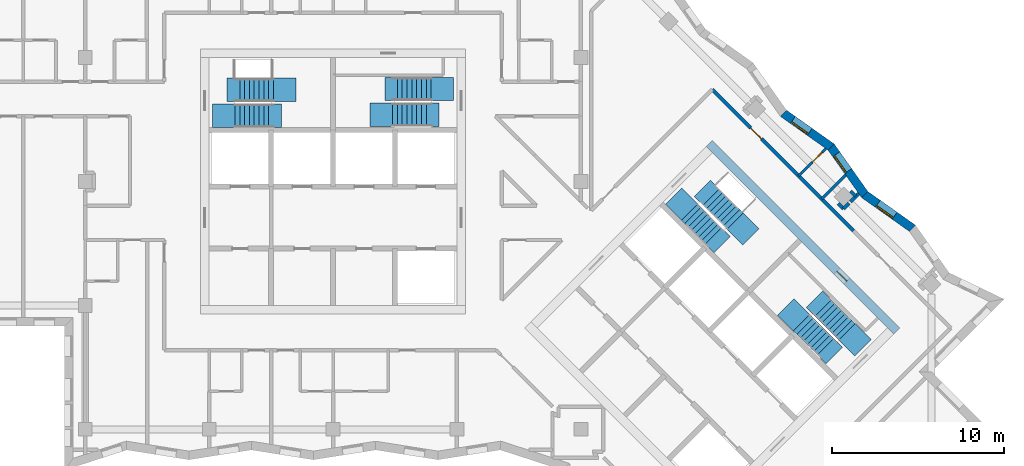
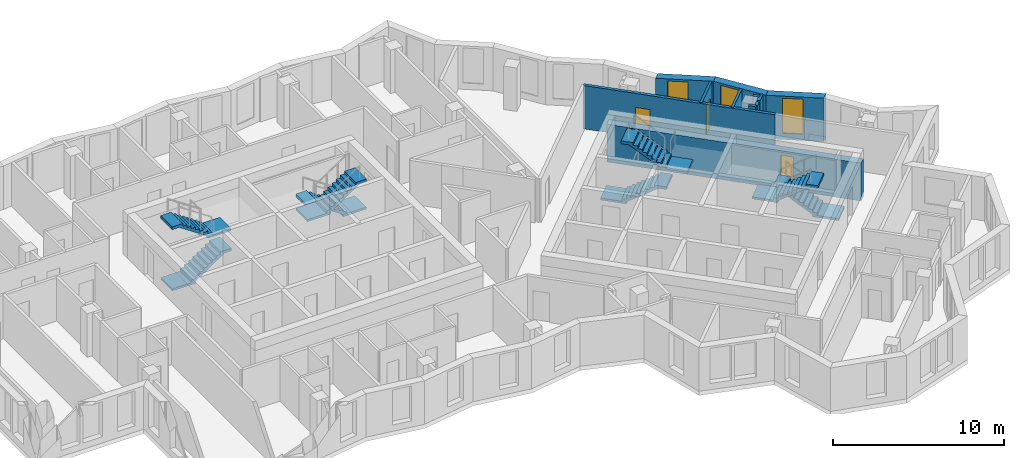
# One storey, part 10 of 13: 11 walls, 8 stair flights, 3 doors, 3 windows, 6 openings, 4 elements without a shape of their own.
"""IFC4 building model written with IfcOpenShell, lengths in metres."""

from ifc_helpers import new_model, si_unit, direction, frame, frame_2d, origin, place, context, subcontext, project, spatial, polyline, rectangle, outline, extrude, material, layer, layer_set, type_object, element, fill, aggregate, save


model = new_model("IFC4")

# Units and contexts
model_context = context("Model", 3, precision=1e-05, world=origin(), true_north=direction((0.0, 1.0)))
body_context = subcontext(model_context, "Body", "Model", "MODEL_VIEW")
ifc_project = project(units=[si_unit("LENGTHUNIT", "METRE"), si_unit("AREAUNIT", "SQUARE_METRE"), si_unit("VOLUMEUNIT", "CUBIC_METRE"), si_unit("PLANEANGLEUNIT", "RADIAN"), si_unit("MASSUNIT", "GRAM", prefix="KILO")], contexts=[model_context])

# Site, building, storey
site_placement = place(None, origin())
site = spatial("IfcSite", under=ifc_project, at=site_placement, CompositionType="ELEMENT")
building_placement = place(site_placement, origin())
building = spatial("IfcBuilding", under=site, at=building_placement, Name="Windrow Commons", CompositionType="ELEMENT")
storey_placement = place(building_placement, frame((0.0, 0.0, 220.2)))
storey = spatial("IfcBuildingStorey", under=building, at=storey_placement, Name="L60", CompositionType="ELEMENT", Elevation=220.2)

# Wall, opening, window
ifc_material_1 = material(Name="Brick masonry, red clay brick", Category="masonry")
ifc_layer_1 = layer(ifc_material_1, 0.5)
ifc_layer_set_1 = layer_set([ifc_layer_1], Name="Brick facade wall 500")
wall_type_1 = type_object("IfcWallType", Name="Brick facade wall 500", PredefinedType="SOLIDWALL", material=ifc_layer_set_1)
wall_1_placement = place(storey_placement, frame((98.4629, 54.8844, 0.0), z_axis=(0.0, 0.0, 1.0), x_axis=(-0.8163684441, 0.5775314394, 0.0)))
wall_1 = element("IfcWall", 1, at=wall_1_placement, inside=storey, type_object=wall_type_1, Name="Brick facade wall L60 9", PredefinedType="SOLIDWALL", context=body_context, shape_type="SweptSolid", body=[
    extrude(outline(polyline([(-0.0428, -0.25), (3.3441, -0.25), (3.4297, 0.25), (0.0428, 0.25), (-0.0428, -0.25)])), origin(), (0.0, 0.0, 1.0), 3.1),
])
opening_1_placement = place(wall_1_placement, frame((1.259, 0.0, 0.45)))
opening_1 = element("IfcOpeningElement", 2, at=opening_1_placement, cuts=wall_1, Name="Opening W7E", PredefinedType="OPENING", context=body_context, shape_type="SweptSolid", body=[
    extrude(rectangle(XDim=1.2, YDim=2.5, at=frame_2d((0.6, 1.25))), frame((0.0, 0.26, 0.0), z_axis=(0.0, -1.0, 0.0), x_axis=(1.0, 0.0, 0.0)), (0.0, 0.0, 1.0), 0.52),
])
ifc_material_2 = material(Name="Clear float glass in anodised aluminium frame", Category="aluminium")
window_type = type_object("IfcWindowType", Name="Window W7 notch 1200x2500", PartitioningType="SINGLE_PANEL", PredefinedType="WINDOW", material=ifc_material_2)
window_1_placement = place(opening_1_placement, origin())
window_1 = element("IfcWindow", 3, at=window_1_placement, inside=storey, type_object=window_type, Name="Window L60 9.1", OverallHeight=2.5, OverallWidth=1.2, PartitioningType="SINGLE_PANEL", PredefinedType="WINDOW", context=body_context, shape_type="SweptSolid", body=[
    extrude(rectangle(XDim=1.2, YDim=2.5, at=frame_2d((0.6, 1.25))), frame((0.0, 0.18, 0.0), z_axis=(0.0, -1.0, 0.0), x_axis=(1.0, 0.0, 0.0)), (0.0, 0.0, 1.0), 0.06),
])
fill(opening_1, window_1)

wall_2_placement = place(storey_placement, frame((95.698, 56.8404, 0.0), z_axis=(0.0, 0.0, 1.0), x_axis=(-0.5775371961, 0.8163643715, 0.0)))
wall_2 = element("IfcWall", 4, at=wall_2_placement, inside=storey, type_object=wall_type_1, Name="Brick facade wall L60 10", PredefinedType="SOLIDWALL", context=body_context, shape_type="SweptSolid", body=[
    extrude(outline(polyline([(0.0428, -0.25), (3.4297, -0.25), (3.3441, 0.25), (-0.0428, 0.25), (0.0428, -0.25)])), origin(), (0.0, 0.0, 1.0), 3.1),
])
opening_2_placement = place(wall_2_placement, frame((1.6704, 0.0, 0.45)))
opening_2 = element("IfcOpeningElement", 5, at=opening_2_placement, cuts=wall_2, Name="Opening W7E", PredefinedType="OPENING", context=body_context, shape_type="SweptSolid", body=[
    extrude(rectangle(XDim=1.2, YDim=2.5, at=frame_2d((0.6, 1.25))), frame((0.0, 0.26, 0.0), z_axis=(0.0, -1.0, 0.0), x_axis=(1.0, 0.0, 0.0)), (0.0, 0.0, 1.0), 0.52),
])
window_2_placement = place(opening_2_placement, origin())
window_2 = element("IfcWindow", 6, at=window_2_placement, inside=storey, type_object=window_type, Name="Window L60 10.1", OverallHeight=2.5, OverallWidth=1.2, PartitioningType="SINGLE_PANEL", PredefinedType="WINDOW", context=body_context, shape_type="SweptSolid", body=[
    extrude(rectangle(XDim=1.2, YDim=2.5, at=frame_2d((0.6, 1.25))), frame((0.0, 0.18, 0.0), z_axis=(0.0, -1.0, 0.0), x_axis=(1.0, 0.0, 0.0)), (0.0, 0.0, 1.0), 0.06),
])
fill(opening_2, window_2)

wall_3_placement = place(storey_placement, frame((93.7419, 59.6054, 0.0), z_axis=(0.0, 0.0, 1.0), x_axis=(-0.8163684441, 0.5775314394, 0.0)))
wall_3 = element("IfcWall", 7, at=wall_3_placement, inside=storey, type_object=wall_type_1, Name="Brick facade wall L60 11", PredefinedType="SOLIDWALL", context=body_context, shape_type="SweptSolid", body=[
    extrude(outline(polyline([(-0.0428, -0.25), (3.3441, -0.25), (3.4297, 0.25), (0.0428, 0.25), (-0.0428, -0.25)])), origin(), (0.0, 0.0, 1.0), 3.1),
])
opening_3_placement = place(wall_3_placement, frame((1.5246, 0.0, 0.45)))
opening_3 = element("IfcOpeningElement", 8, at=opening_3_placement, cuts=wall_3, Name="Opening W7E", PredefinedType="OPENING", context=body_context, shape_type="SweptSolid", body=[
    extrude(rectangle(XDim=1.2, YDim=2.5, at=frame_2d((0.6, 1.25))), frame((0.0, 0.26, 0.0), z_axis=(0.0, -1.0, 0.0), x_axis=(1.0, 0.0, 0.0)), (0.0, 0.0, 1.0), 0.52),
])
window_3_placement = place(opening_3_placement, origin())
window_3 = element("IfcWindow", 9, at=window_3_placement, inside=storey, type_object=window_type, Name="Window L60 11.1", OverallHeight=2.5, OverallWidth=1.2, PartitioningType="SINGLE_PANEL", PredefinedType="WINDOW", context=body_context, shape_type="SweptSolid", body=[
    extrude(rectangle(XDim=1.2, YDim=2.5, at=frame_2d((0.6, 1.25))), frame((0.0, 0.18, 0.0), z_axis=(0.0, -1.0, 0.0), x_axis=(1.0, 0.0, 0.0)), (0.0, 0.0, 1.0), 0.06),
])
fill(opening_3, window_3)

# Wall, opening, door
ifc_material_3 = material(Name="Blockwork partition", Category="masonry")
ifc_layer_2 = layer(ifc_material_3, 0.2)
ifc_layer_set_2 = layer_set([ifc_layer_2], Name="IW-CORRIDOR-200")
wall_type_2 = type_object("IfcWallType", Name="IW-CORRIDOR-200", PredefinedType="PARTITIONING", material=ifc_layer_set_2)
wall_4_placement = place(storey_placement, frame((86.8347, 62.9447, 0.0), z_axis=(0.0, 0.0, 1.0), x_axis=(0.7072533434, -0.7069601886, 0.0)))
wall_4 = element("IfcWall", 10, at=wall_4_placement, inside=storey, type_object=wall_type_2, Name="W-L60-W007", PredefinedType="PARTITIONING", context=body_context, shape_type="SweptSolid", body=[
    extrude(rectangle(XDim=11.598, YDim=0.2, at=frame_2d((5.799, 0.0))), origin(), (0.0, 0.0, 1.0), 3.1),
])
opening_4_placement = place(wall_4_placement, frame((3.1559, 0.0, 0.0)))
opening_4 = element("IfcOpeningElement", 11, at=opening_4_placement, cuts=wall_4, Name="Opening D109S", PredefinedType="OPENING", context=body_context, shape_type="SweptSolid", body=[
    extrude(rectangle(XDim=0.9, YDim=2.1, at=frame_2d((0.45, 1.05))), frame((0.0, 0.11, 0.0), z_axis=(0.0, -1.0, 0.0), x_axis=(1.0, 0.0, 0.0)), (0.0, 0.0, 1.0), 0.22),
])
ifc_material_4 = material(Name="Timber door leaf", Category="wood")
door_type_1 = type_object("IfcDoorType", Name="DT-BEDROOM-900", OperationType="SINGLE_SWING_LEFT", PredefinedType="DOOR", material=ifc_material_4)
door_1_placement = place(opening_4_placement, origin())
door_1 = element("IfcDoor", 12, at=door_1_placement, inside=storey, type_object=door_type_1, Name="D-L60-D046", OperationType="SINGLE_SWING_LEFT", OverallHeight=2.1, OverallWidth=0.9, PredefinedType="DOOR", context=body_context, shape_type="SweptSolid", body=[
    extrude(rectangle(XDim=0.9, YDim=2.1, at=frame_2d((0.45, 1.05))), frame((0.0, 0.025, 0.0), z_axis=(0.0, -1.0, 0.0), x_axis=(1.0, 0.0, 0.0)), (0.0, 0.0, 1.0), 0.05),
])
fill(opening_4, door_1)

ifc_material_5 = material(Name="Blockwork partition", Category="masonry")
ifc_layer_3 = layer(ifc_material_5, 0.15)
ifc_layer_set_3 = layer_set([ifc_layer_3], Name="IW-ENSUITE-150")
wall_type_3 = type_object("IfcWallType", Name="IW-ENSUITE-150", PredefinedType="PARTITIONING", material=ifc_layer_set_3)
wall_5_placement = place(storey_placement, frame((91.8569, 57.9291, 0.0), z_axis=(0.0, 0.0, 1.0), x_axis=(0.7066823676, 0.7075309402, 0.0)))
wall_5 = element("IfcWall", 13, at=wall_5_placement, inside=storey, type_object=wall_type_3, Name="W-L60-W103", PredefinedType="PARTITIONING", context=body_context, shape_type="SweptSolid", body=[
    extrude(rectangle(XDim=2.2391, YDim=0.15, at=frame_2d((1.1196, 0.0))), origin(), (0.0, 0.0, 1.0), 3.1),
])
opening_5_placement = place(wall_5_placement, frame((1.1327, 0.0, 0.0)))
opening_5 = element("IfcOpeningElement", 14, at=opening_5_placement, cuts=wall_5, Name="Opening D208N", PredefinedType="OPENING", context=body_context, shape_type="SweptSolid", body=[
    extrude(rectangle(XDim=0.8, YDim=2.1, at=frame_2d((0.4, 1.05))), frame((0.0, 0.085, 0.0), z_axis=(0.0, -1.0, 0.0), x_axis=(1.0, 0.0, 0.0)), (0.0, 0.0, 1.0), 0.17),
])
ifc_material_6 = material(Name="Timber door leaf", Category="wood")
door_type_2 = type_object("IfcDoorType", Name="DT-ENSUITE-800", OperationType="SINGLE_SWING_LEFT", PredefinedType="DOOR", material=ifc_material_6)
door_2_placement = place(opening_5_placement, origin())
door_2 = element("IfcDoor", 15, at=door_2_placement, inside=storey, type_object=door_type_2, Name="D-L60-D047", OperationType="SINGLE_SWING_RIGHT", OverallHeight=2.1, OverallWidth=0.8, PredefinedType="DOOR", context=body_context, shape_type="SweptSolid", body=[
    extrude(rectangle(XDim=0.8, YDim=2.1, at=frame_2d((0.4, 1.05))), frame((0.0, 0.025, 0.0), z_axis=(0.0, -1.0, 0.0), x_axis=(1.0, 0.0, 0.0)), (0.0, 0.0, 1.0), 0.05),
])
fill(opening_5, door_2)

# Walls
wall_6_placement = place(storey_placement, frame((93.1997, 56.5863, 0.0), z_axis=(0.0, 0.0, 1.0), x_axis=(0.7076411282, 0.7065720301, 0.0)))
element("IfcWall", 16, at=wall_6_placement, inside=storey, type_object=wall_type_3, Name="W-L60-W115", PredefinedType="PARTITIONING", context=body_context, shape_type="SweptSolid", body=[
    extrude(rectangle(XDim=1.9643, YDim=0.15, at=frame_2d((0.9821, 0.0))), origin(), (0.0, 0.0, 1.0), 3.1),
])
ifc_material_7 = material(Name="Blockwork partition", Category="masonry")
ifc_layer_4 = layer(ifc_material_7, 0.2)
ifc_layer_set_4 = layer_set([ifc_layer_4], Name="IW-PARTY-200")
wall_type_4 = type_object("IfcWallType", Name="IW-PARTY-200", PredefinedType="PARTITIONING", material=ifc_layer_set_4)
wall_7_placement = place(storey_placement, frame((94.4692, 56.0168, 0.0), z_axis=(0.0, 0.0, 1.0), x_axis=(0.7071067812, 0.7071067812, 0.0)))
element("IfcWall", 17, at=wall_7_placement, inside=storey, type_object=wall_type_4, Name="W-L60-W173", PredefinedType="PARTITIONING", context=body_context, shape_type="SweptSolid", body=[
    extrude(rectangle(XDim=0.4384, YDim=0.2, at=frame_2d((0.2192, 0.0))), origin(), (0.0, 0.0, 1.0), 3.1),
])
wall_8_placement = place(storey_placement, frame((94.8744, 57.0404, 0.0), z_axis=(0.0, 0.0, 1.0), x_axis=(0.7071067812, -0.7071067812, 0.0)))
element("IfcWall", 18, at=wall_8_placement, inside=storey, type_object=wall_type_4, Name="W-L60-W178", PredefinedType="PARTITIONING", context=body_context, shape_type="SweptSolid", body=[
    extrude(rectangle(XDim=0.4084, YDim=0.2, at=frame_2d((0.2042, 0.0))), origin(), (0.0, 0.0, 1.0), 3.1),
])
wall_9_placement = place(storey_placement, frame((94.1602, 56.3262, 0.0), z_axis=(0.0, 0.0, 1.0), x_axis=(0.7071067812, -0.7071067812, 0.0)))
element("IfcWall", 19, at=wall_9_placement, inside=storey, type_object=wall_type_4, Name="W-L60-W180", PredefinedType="PARTITIONING", context=body_context, shape_type="SweptSolid", body=[
    extrude(rectangle(XDim=0.4384, YDim=0.2, at=frame_2d((0.2192, 0.0))), origin(), (0.0, 0.0, 1.0), 3.1),
])
wall_10_placement = place(storey_placement, frame((94.8732, 56.4208, 0.0), z_axis=(0.0, 0.0, 1.0), x_axis=(0.7071808122, 0.7070327425, 0.0)))
element("IfcWall", 20, at=wall_10_placement, inside=storey, type_object=wall_type_4, Name="W-L60-W181", PredefinedType="PARTITIONING", context=body_context, shape_type="SweptSolid", body=[
    extrude(rectangle(XDim=0.6754, YDim=0.2, at=frame_2d((0.3377, 0.0))), origin(), (0.0, 0.0, 1.0), 3.1),
])

# Wall, opening, door
ifc_material_8 = material(Name="Concrete C40/50", Category="concrete")
ifc_layer_5 = layer(ifc_material_8, 0.5)
ifc_layer_set_5 = layer_set([ifc_layer_5], Name="RC CORE WALL 500 C40/50")
wall_type_5 = type_object("IfcWallType", Name="RC CORE WALL 500 C40/50", PredefinedType="SHEAR", material=ifc_layer_set_5)
wall_11_placement = place(storey_placement, frame((86.66, 59.8024, -0.3), z_axis=(0.0, 0.0, 1.0), x_axis=(0.7071067812, -0.7071067812, 0.0)))
wall_11 = element("IfcWall", 21, at=wall_11_placement, inside=storey, type_object=wall_type_5, Name="Core B wall outer-N", PredefinedType="SHEAR", context=body_context, shape_type="SweptSolid", body=[
    extrude(rectangle(XDim=15.3999, YDim=0.5, at=frame_2d((7.7, 0.0))), origin(), (0.0, 0.0, 1.0), 2.7),
])
opening_6_placement = place(wall_11_placement, frame((10.5, 0.0, 0.3)))
opening_6 = element("IfcOpeningElement", 22, at=opening_6_placement, cuts=wall_11, Name="Opening D9", PredefinedType="OPENING", context=body_context, shape_type="SweptSolid", body=[
    extrude(rectangle(XDim=0.8, YDim=2.1, at=frame_2d((0.4, 1.05))), frame((0.0, 0.26, 0.0), z_axis=(0.0, -1.0, 0.0), x_axis=(1.0, 0.0, 0.0)), (0.0, 0.0, 1.0), 0.52),
])
ifc_material_9 = material(Name="Steel fire door leaf", Category="steel")
door_type_3 = type_object("IfcDoorType", Name="Riser access door 800", OperationType="SINGLE_SWING_LEFT", PredefinedType="DOOR", material=ifc_material_9)
door_3_placement = place(opening_6_placement, origin())
door_3 = element("IfcDoor", 23, at=door_3_placement, inside=storey, type_object=door_type_3, Name="Riser access door", OperationType="SINGLE_SWING_RIGHT", OverallHeight=2.1, OverallWidth=0.8, PredefinedType="DOOR", context=body_context, shape_type="SweptSolid", body=[
    extrude(rectangle(XDim=0.8, YDim=2.1, at=frame_2d((0.4, 1.05))), frame((0.0, 0.025, 0.0), z_axis=(0.0, -1.0, 0.0), x_axis=(1.0, 0.0, 0.0)), (0.0, 0.0, 1.0), 0.05),
])
fill(opening_6, door_3)

# Stair, stair flights
ifc_material_10 = material(Name="Concrete C40/50", Category="concrete")
stair_type = type_object("IfcStairType", Name="Core stair", PredefinedType="HALF_TURN_STAIR", material=ifc_material_10)
placement = place(storey_placement, origin())
stair_1 = element("IfcStair", 24, at=placement, inside=storey, type_object=stair_type, Name="L60 Exit stair A1 core A", PredefinedType="HALF_TURN_STAIR")
ifc_material_11 = material(Name="Concrete C40/50", Category="concrete")
stair_flight_type = type_object("IfcStairFlightType", Name="Core stair flight", PredefinedType="STRAIGHT", material=ifc_material_11)
stair_flight_1_placement = place(storey_placement, frame((59.1, 61.425, 0.0), z_axis=(0.0, 0.0, 1.0), x_axis=(1.0, 0.0, 0.0)))
stair_flight_1 = element("IfcStairFlight", 25, at=stair_flight_1_placement, type_object=stair_flight_type, Name="ST-A1 flight 1", NumberOfRisers=9, NumberOfTreads=8, PredefinedType="STRAIGHT", RiserHeight=0.188888889, TreadLength=0.28, context=body_context, shape_type="SweptSolid", body=[
    extrude(outline(polyline([(-1.3, -0.15), (-1.3, 0.0), (0.0, 0.0), (0.0, 0.1889), (0.28, 0.1889), (0.28, 0.3778), (0.56, 0.3778), (0.56, 0.5667), (0.84, 0.5667), (0.84, 0.7556), (1.12, 0.7556), (1.12, 0.9444), (1.4, 0.9444), (1.4, 1.1333), (1.68, 1.1333), (1.68, 1.3222), (1.96, 1.3222), (1.96, 1.5111), (2.24, 1.5111), (2.69, 1.5111), (2.69, 1.3111), (2.24, 1.3111), (2.24, 1.3302), (0.2682, 0.0), (0.2682, -0.15), (-1.3, -0.15)])), frame((0.0, 0.675, 0.0), z_axis=(0.0, -1.0, 0.0), x_axis=(1.0, 0.0, 0.0)), (0.0, 0.0, 1.0), 1.35),
])
stair_flight_2_placement = place(storey_placement, frame((61.34, 62.925, 1.7), z_axis=(0.0, 0.0, 1.0), x_axis=(-1.0, 0.0, 0.0)))
stair_flight_2 = element("IfcStairFlight", 26, at=stair_flight_2_placement, type_object=stair_flight_type, Name="ST-A1 flight 2", NumberOfRisers=9, NumberOfTreads=8, PredefinedType="STRAIGHT", RiserHeight=0.188888889, TreadLength=0.28, context=body_context, shape_type="SweptSolid", body=[
    extrude(outline(polyline([(-1.3, -0.15), (-1.3, 0.0), (0.0, 0.0), (0.0, 0.1889), (0.28, 0.1889), (0.28, 0.3778), (0.56, 0.3778), (0.56, 0.5667), (0.84, 0.5667), (0.84, 0.7556), (1.12, 0.7556), (1.12, 0.9444), (1.4, 0.9444), (1.4, 1.1333), (1.68, 1.1333), (1.68, 1.3222), (1.96, 1.3222), (1.96, 1.5111), (2.24, 1.5111), (2.69, 1.5111), (2.69, 1.3111), (2.24, 1.3111), (2.24, 1.3302), (0.2682, 0.0), (0.2682, -0.15), (-1.3, -0.15)])), frame((0.0, 0.675, 0.0), z_axis=(0.0, -1.0, 0.0), x_axis=(1.0, 0.0, 0.0)), (0.0, 0.0, 1.0), 1.35),
])
aggregate(stair_1, [stair_flight_1, stair_flight_2])

stair_2 = element("IfcStair", 27, at=placement, inside=storey, type_object=stair_type, Name="L60 Exit stair A2 core A", PredefinedType="HALF_TURN_STAIR")
stair_flight_3_placement = place(storey_placement, frame((70.5, 62.98, 0.0), z_axis=(0.0, 0.0, 1.0), x_axis=(-1.0, 0.0, 0.0)))
stair_flight_3 = element("IfcStairFlight", 28, at=stair_flight_3_placement, type_object=stair_flight_type, Name="ST-A2 flight 1", NumberOfRisers=9, NumberOfTreads=8, PredefinedType="STRAIGHT", RiserHeight=0.188888889, TreadLength=0.28, context=body_context, shape_type="SweptSolid", body=[
    extrude(outline(polyline([(-1.3, -0.15), (-1.3, 0.0), (0.0, 0.0), (0.0, 0.1889), (0.28, 0.1889), (0.28, 0.3778), (0.56, 0.3778), (0.56, 0.5667), (0.84, 0.5667), (0.84, 0.7556), (1.12, 0.7556), (1.12, 0.9444), (1.4, 0.9444), (1.4, 1.1333), (1.68, 1.1333), (1.68, 1.3222), (1.96, 1.3222), (1.96, 1.5111), (2.24, 1.5111), (2.69, 1.5111), (2.69, 1.3111), (2.24, 1.3111), (2.24, 1.3302), (0.2682, 0.0), (0.2682, -0.15), (-1.3, -0.15)])), frame((0.0, 0.675, 0.0), z_axis=(0.0, -1.0, 0.0), x_axis=(1.0, 0.0, 0.0)), (0.0, 0.0, 1.0), 1.35),
])
stair_flight_4_placement = place(storey_placement, frame((68.26, 61.48, 1.7), z_axis=(0.0, 0.0, 1.0), x_axis=(1.0, 0.0, 0.0)))
stair_flight_4 = element("IfcStairFlight", 29, at=stair_flight_4_placement, type_object=stair_flight_type, Name="ST-A2 flight 2", NumberOfRisers=9, NumberOfTreads=8, PredefinedType="STRAIGHT", RiserHeight=0.188888889, TreadLength=0.28, context=body_context, shape_type="SweptSolid", body=[
    extrude(outline(polyline([(-1.3, -0.15), (-1.3, 0.0), (0.0, 0.0), (0.0, 0.1889), (0.28, 0.1889), (0.28, 0.3778), (0.56, 0.3778), (0.56, 0.5667), (0.84, 0.5667), (0.84, 0.7556), (1.12, 0.7556), (1.12, 0.9444), (1.4, 0.9444), (1.4, 1.1333), (1.68, 1.1333), (1.68, 1.3222), (1.96, 1.3222), (1.96, 1.5111), (2.24, 1.5111), (2.69, 1.5111), (2.69, 1.3111), (2.24, 1.3111), (2.24, 1.3302), (0.2682, 0.0), (0.2682, -0.15), (-1.3, -0.15)])), frame((0.0, 0.675, 0.0), z_axis=(0.0, -1.0, 0.0), x_axis=(1.0, 0.0, 0.0)), (0.0, 0.0, 1.0), 1.35),
])
aggregate(stair_2, [stair_flight_3, stair_flight_4])

stair_3 = element("IfcStair", 30, at=placement, inside=storey, type_object=stair_type, Name="L60 Exit stair B1 core B", PredefinedType="HALF_TURN_STAIR")
stair_flight_5_placement = place(storey_placement, frame((85.5109, 55.8249, 0.0), z_axis=(0.0, 0.0, 1.0), x_axis=(0.7071067812, -0.7071067812, 0.0)))
stair_flight_5 = element("IfcStairFlight", 31, at=stair_flight_5_placement, type_object=stair_flight_type, Name="ST-B1 flight 1", NumberOfRisers=9, NumberOfTreads=8, PredefinedType="STRAIGHT", RiserHeight=0.188888889, TreadLength=0.28, context=body_context, shape_type="SweptSolid", body=[
    extrude(outline(polyline([(-1.3, -0.15), (-1.3, 0.0), (0.0, 0.0), (0.0, 0.1889), (0.28, 0.1889), (0.28, 0.3778), (0.56, 0.3778), (0.56, 0.5667), (0.84, 0.5667), (0.84, 0.7556), (1.12, 0.7556), (1.12, 0.9444), (1.4, 0.9444), (1.4, 1.1333), (1.68, 1.1333), (1.68, 1.3222), (1.96, 1.3222), (1.96, 1.5111), (2.24, 1.5111), (2.69, 1.5111), (2.69, 1.3111), (2.24, 1.3111), (2.24, 1.3302), (0.2682, 0.0), (0.2682, -0.15), (-1.3, -0.15)])), frame((0.0, 0.675, 0.0), z_axis=(0.0, -1.0, 0.0), x_axis=(1.0, 0.0, 0.0)), (0.0, 0.0, 1.0), 1.35),
])
stair_flight_6_placement = place(storey_placement, frame((88.1555, 55.3017, 1.7), z_axis=(0.0, 0.0, 1.0), x_axis=(-0.7071067812, 0.7071067812, 0.0)))
stair_flight_6 = element("IfcStairFlight", 32, at=stair_flight_6_placement, type_object=stair_flight_type, Name="ST-B1 flight 2", NumberOfRisers=9, NumberOfTreads=8, PredefinedType="STRAIGHT", RiserHeight=0.188888889, TreadLength=0.28, context=body_context, shape_type="SweptSolid", body=[
    extrude(outline(polyline([(-1.3, -0.15), (-1.3, 0.0), (0.0, 0.0), (0.0, 0.1889), (0.28, 0.1889), (0.28, 0.3778), (0.56, 0.3778), (0.56, 0.5667), (0.84, 0.5667), (0.84, 0.7556), (1.12, 0.7556), (1.12, 0.9444), (1.4, 0.9444), (1.4, 1.1333), (1.68, 1.1333), (1.68, 1.3222), (1.96, 1.3222), (1.96, 1.5111), (2.24, 1.5111), (2.69, 1.5111), (2.69, 1.3111), (2.24, 1.3111), (2.24, 1.3302), (0.2682, 0.0), (0.2682, -0.15), (-1.3, -0.15)])), frame((0.0, 0.675, 0.0), z_axis=(0.0, -1.0, 0.0), x_axis=(1.0, 0.0, 0.0)), (0.0, 0.0, 1.0), 1.35),
])
aggregate(stair_3, [stair_flight_5, stair_flight_6])

stair_4 = element("IfcStair", 33, at=placement, inside=storey, type_object=stair_type, Name="L60 Exit stair B2 core B", PredefinedType="HALF_TURN_STAIR")
stair_flight_7_placement = place(storey_placement, frame((94.6715, 48.8635, 0.0), z_axis=(0.0, 0.0, 1.0), x_axis=(-0.7071067812, 0.7071067812, 0.0)))
stair_flight_7 = element("IfcStairFlight", 34, at=stair_flight_7_placement, type_object=stair_flight_type, Name="ST-B2 flight 1", NumberOfRisers=9, NumberOfTreads=8, PredefinedType="STRAIGHT", RiserHeight=0.188888889, TreadLength=0.28, context=body_context, shape_type="SweptSolid", body=[
    extrude(outline(polyline([(-1.3, -0.15), (-1.3, 0.0), (0.0, 0.0), (0.0, 0.1889), (0.28, 0.1889), (0.28, 0.3778), (0.56, 0.3778), (0.56, 0.5667), (0.84, 0.5667), (0.84, 0.7556), (1.12, 0.7556), (1.12, 0.9444), (1.4, 0.9444), (1.4, 1.1333), (1.68, 1.1333), (1.68, 1.3222), (1.96, 1.3222), (1.96, 1.5111), (2.24, 1.5111), (2.69, 1.5111), (2.69, 1.3111), (2.24, 1.3111), (2.24, 1.3302), (0.2682, 0.0), (0.2682, -0.15), (-1.3, -0.15)])), frame((0.0, 0.675, 0.0), z_axis=(0.0, -1.0, 0.0), x_axis=(1.0, 0.0, 0.0)), (0.0, 0.0, 1.0), 1.35),
])
stair_flight_8_placement = place(storey_placement, frame((92.0269, 49.3867, 1.7), z_axis=(0.0, 0.0, 1.0), x_axis=(0.7071067812, -0.7071067812, 0.0)))
stair_flight_8 = element("IfcStairFlight", 35, at=stair_flight_8_placement, type_object=stair_flight_type, Name="ST-B2 flight 2", NumberOfRisers=9, NumberOfTreads=8, PredefinedType="STRAIGHT", RiserHeight=0.188888889, TreadLength=0.28, context=body_context, shape_type="SweptSolid", body=[
    extrude(outline(polyline([(-1.3, -0.15), (-1.3, 0.0), (0.0, 0.0), (0.0, 0.1889), (0.28, 0.1889), (0.28, 0.3778), (0.56, 0.3778), (0.56, 0.5667), (0.84, 0.5667), (0.84, 0.7556), (1.12, 0.7556), (1.12, 0.9444), (1.4, 0.9444), (1.4, 1.1333), (1.68, 1.1333), (1.68, 1.3222), (1.96, 1.3222), (1.96, 1.5111), (2.24, 1.5111), (2.69, 1.5111), (2.69, 1.3111), (2.24, 1.3111), (2.24, 1.3302), (0.2682, 0.0), (0.2682, -0.15), (-1.3, -0.15)])), frame((0.0, 0.675, 0.0), z_axis=(0.0, -1.0, 0.0), x_axis=(1.0, 0.0, 0.0)), (0.0, 0.0, 1.0), 1.35),
])
aggregate(stair_4, [stair_flight_7, stair_flight_8])

save(model, "model.ifc")
